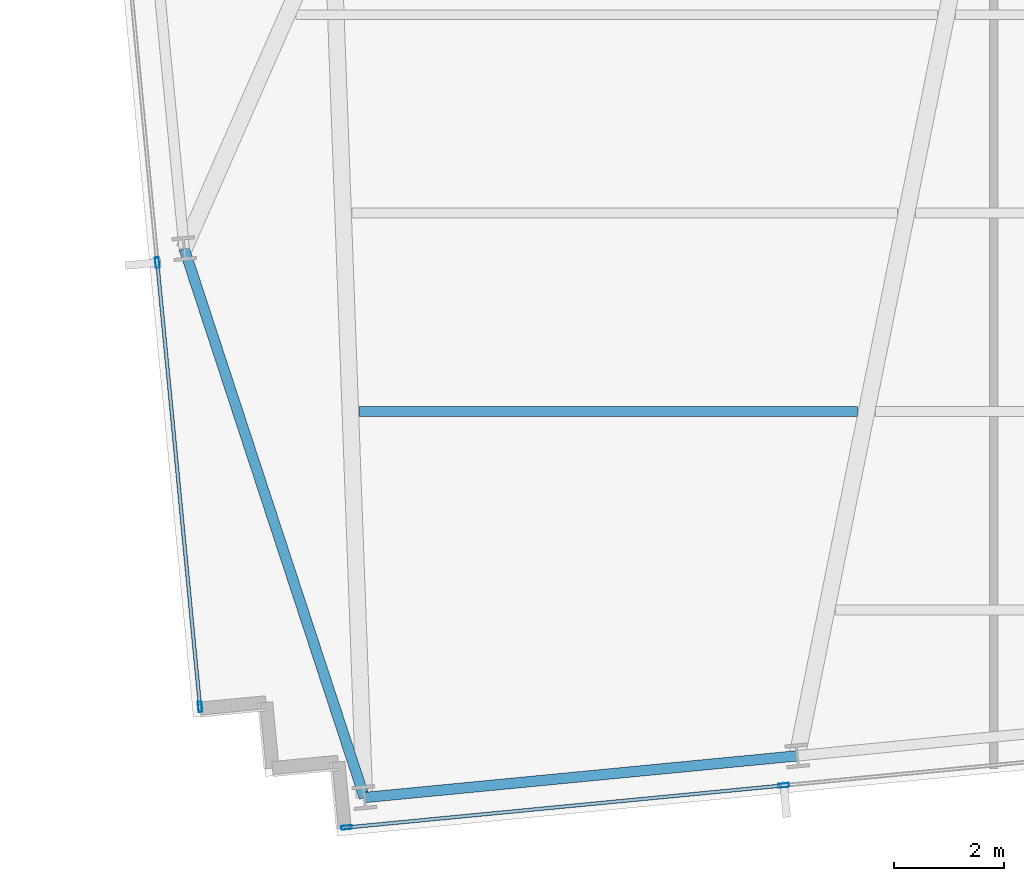
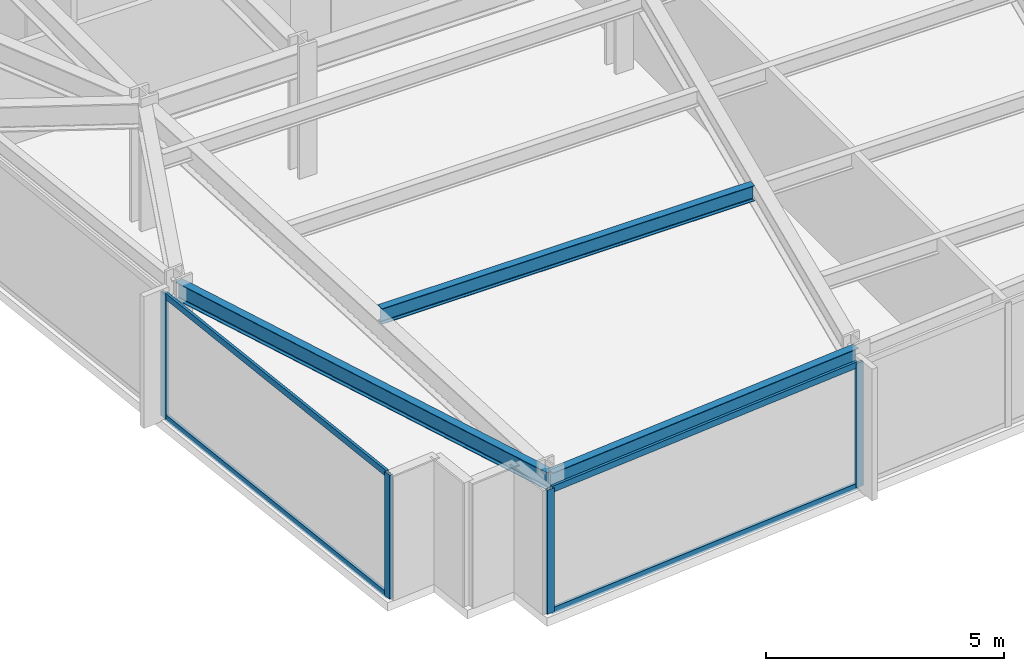
# One storey, part 2 of 32: 8 members, 3 beams, 2 elements without a shape of their own.
"""IFC4 building model written with IfcOpenShell, lengths in metres."""

from ifc_helpers import new_model, si_unit, direction, frame, origin, origin_2d, place, context, subcontext, project, spatial, hollow_rectangle, i_section, extrude, material, material_profile, profile_set, type_object, element, aggregate, save


model = new_model("IFC4")

# Units and contexts
model_context = context("Model", 3, precision=1e-05, world=origin(), true_north=direction((0.0, 1.0)))
body_context = subcontext(model_context, "Body", "Model", "MODEL_VIEW")
ifc_project = project(units=[si_unit("LENGTHUNIT", "METRE"), si_unit("AREAUNIT", "SQUARE_METRE"), si_unit("VOLUMEUNIT", "CUBIC_METRE"), si_unit("PLANEANGLEUNIT", "RADIAN"), si_unit("MASSUNIT", "GRAM", prefix="KILO")], contexts=[model_context])

# Site, building, storey
site_placement = place(None, origin())
site = spatial("IfcSite", under=ifc_project, at=site_placement, CompositionType="ELEMENT")
building_placement = place(site_placement, origin())
building = spatial("IfcBuilding", under=site, at=building_placement, Name="Yelkora Congress Tower", CompositionType="ELEMENT")
storey_placement = place(building_placement, frame((0.0, 0.0, 120.300048828125)))
storey = spatial("IfcBuildingStorey", under=building, at=storey_placement, Name="L32", CompositionType="ELEMENT", Elevation=120.300048828125)

# Beams
ifc_material_1 = material(Name="Steel S355J2", Category="steel")
ifc_material_profile_1 = material_profile(ifc_material_1, i_section(OverallWidth=0.179931640625, OverallDepth=0.39990234375, WebThickness=0.008544921875, FlangeThickness=0.013427734375, FilletRadius=0.02099609375, at=origin_2d()), Name="IPE 400")
ifc_profile_set_1 = profile_set([ifc_material_profile_1], Name="Steel S355J2")
beam_type_1 = type_object("IfcBeamType", Name="BM-JOIST-IPE400", PredefinedType="JOIST", material=ifc_profile_set_1)
beam_1_placement = place(storey_placement, frame((19.6904296875, 16.144287109375, 2.97998046875), z_axis=(1.0, 0.0, 0.0), x_axis=(0.0, 1.0, 0.0)))
element("IfcBeam", 1, at=beam_1_placement, inside=storey, type_object=beam_type_1, Name="L32 Composite Floor Joist 4", PredefinedType="JOIST", context=body_context, shape_type="SweptSolid", body=[
    extrude(i_section(OverallWidth=0.179931640625, OverallDepth=0.39990234375, WebThickness=0.008544921875, FlangeThickness=0.013427734375, FilletRadius=0.02099609375, at=origin_2d()), origin(), (0.0, 0.0, 1.0), 9.0439453125),
])
ifc_material_profile_2 = material_profile(ifc_material_1, i_section(OverallWidth=0.18994140625, OverallDepth=0.449951171875, WebThickness=0.009521484375, FlangeThickness=0.0146484375, FilletRadius=0.02099609375, at=origin_2d()), Name="IPE 450")
ifc_profile_set_2 = profile_set([ifc_material_profile_2], Name="Steel S355J2")
beam_type_2 = type_object("IfcBeamType", Name="BM-SPAN-IPE450", PredefinedType="SPANDREL", material=ifc_profile_set_2)
beam_2_placement = place(storey_placement, frame((16.5166015625, 19.101806640625, 2.954833984375), z_axis=(0.311940628701, -0.95010159676, 0.0), x_axis=(0.95010159676, 0.311940628701, 0.0)))
element("IfcBeam", 2, at=beam_2_placement, inside=storey, type_object=beam_type_2, Name="L32 Perimeter Beam 2", PredefinedType="SPANDREL", context=body_context, shape_type="SweptSolid", body=[
    extrude(i_section(OverallWidth=0.18994140625, OverallDepth=0.449951171875, WebThickness=0.009521484375, FlangeThickness=0.0146484375, FilletRadius=0.02099609375, at=origin_2d()), origin(), (0.0, 0.0, 1.0), 10.48046875),
])
beam_3_placement = place(storey_placement, frame((19.785888671875, 9.144287109375, 2.954833984375), z_axis=(0.995395860104, 0.095849265454, 0.0), x_axis=(-0.095849265454, 0.995395860104, 0.0)))
element("IfcBeam", 3, at=beam_3_placement, inside=storey, type_object=beam_type_2, Name="L32 Perimeter Beam 3", PredefinedType="SPANDREL", context=body_context, shape_type="SweptSolid", body=[
    extrude(i_section(OverallWidth=0.18994140625, OverallDepth=0.449951171875, WebThickness=0.009521484375, FlangeThickness=0.0146484375, FilletRadius=0.02099609375, at=origin_2d()), origin(), (0.0, 0.0, 1.0), 7.885986328125),
])

# Curtain wall, members
ifc_material_2 = material(Name="Anodised aluminium and insulated glass", Category="aluminium")
curtain_wall_type = type_object("IfcCurtainWallType", Name="CW-SYS-B2", PredefinedType="NOTDEFINED", material=ifc_material_2)
curtain_wall_1_placement = place(storey_placement, origin())
curtain_wall_1 = element("IfcCurtainWall", 4, at=curtain_wall_1_placement, inside=storey, type_object=curtain_wall_type, Name="L32 Unitised Curtain Wall 5", PredefinedType="NOTDEFINED")
ifc_material_3 = material(Name="Anodised aluminium 6063-T6", Category="aluminium")
ifc_material_profile_3 = material_profile(ifc_material_3, hollow_rectangle(XDim=0.070068359375, YDim=0.18994140625, WallThickness=0.00390625, at=origin_2d()), Name="ALU 70x190x4")
ifc_profile_set_3 = profile_set([ifc_material_profile_3], Name="Anodised aluminium 6063-T6")
member_type_1 = type_object("IfcMemberType", Name="MEM-ML-B2", PredefinedType="MULLION", material=ifc_profile_set_3)
member_1_placement = place(storey_placement, frame((16.804443359375, 10.791259765625, 0.0), z_axis=(0.0, 0.0, 1.0), x_axis=(-0.995396507508, -0.095842541913, 0.0)))
member_1 = element("IfcMember", 5, at=member_1_placement, type_object=member_type_1, Name="CW-B2 mullion 1", PredefinedType="MULLION", context=body_context, shape_type="SweptSolid", body=[
    extrude(hollow_rectangle(XDim=0.070068359375, YDim=0.18994140625, WallThickness=0.00390625, at=origin_2d()), origin(), (0.0, 0.0, 1.0), 3.179931640625),
])
member_2_placement = place(storey_placement, frame((16.028564453125, 18.848876953125, 0.0), z_axis=(0.0, 0.0, 1.0), x_axis=(-0.995396507508, -0.095842541913, 0.0)))
member_2 = element("IfcMember", 6, at=member_2_placement, type_object=member_type_1, Name="CW-B2 mullion 2", PredefinedType="MULLION", context=body_context, shape_type="SweptSolid", body=[
    extrude(hollow_rectangle(XDim=0.070068359375, YDim=0.18994140625, WallThickness=0.00390625, at=origin_2d()), origin(), (0.0, 0.0, 1.0), 3.179931640625),
])

curtain_wall_2_placement = place(storey_placement, origin())
curtain_wall_2 = element("IfcCurtainWall", 7, at=curtain_wall_2_placement, inside=storey, type_object=curtain_wall_type, Name="L32 Unitised Curtain Wall 20", PredefinedType="NOTDEFINED")
member_3_placement = place(storey_placement, frame((27.392822265625, 9.364501953125, 0.0), z_axis=(0.0, 0.0, 1.0), x_axis=(0.095844345816, -0.995396333816, 0.0)))
member_3 = element("IfcMember", 8, at=member_3_placement, type_object=member_type_1, Name="CW-B2 mullion 7", PredefinedType="MULLION", context=body_context, shape_type="SweptSolid", body=[
    extrude(hollow_rectangle(XDim=0.070068359375, YDim=0.18994140625, WallThickness=0.00390625, at=origin_2d()), origin(), (0.0, 0.0, 1.0), 3.179931640625),
])
member_4_placement = place(storey_placement, frame((19.46142578125, 8.600830078125, 0.0), z_axis=(0.0, 0.0, 1.0), x_axis=(0.095844345816, -0.995396333816, 0.0)))
member_4 = element("IfcMember", 9, at=member_4_placement, type_object=member_type_1, Name="CW-B2 mullion 8", PredefinedType="MULLION", context=body_context, shape_type="SweptSolid", body=[
    extrude(hollow_rectangle(XDim=0.070068359375, YDim=0.18994140625, WallThickness=0.00390625, at=origin_2d()), origin(), (0.0, 0.0, 1.0), 3.179931640625),
])

# Member
ifc_material_profile_4 = material_profile(ifc_material_3, hollow_rectangle(XDim=0.06494140625, YDim=0.159912109375, WallThickness=0.00390625, at=origin_2d()), Name="ALU 65x160x4")
ifc_profile_set_4 = profile_set([ifc_material_profile_4], Name="Anodised aluminium 6063-T6")
member_type_2 = type_object("IfcMemberType", Name="MEM-TR-B2", PredefinedType="USERDEFINED", material=ifc_profile_set_4)
member_5_placement = place(storey_placement, frame((16.801025390625, 10.826171875, 0.032470703125), z_axis=(-0.095861385662, 0.995394692943, 0.0), x_axis=(-0.995394692943, -0.095861385662, 0.0)))
member_5 = element("IfcMember", 10, at=member_5_placement, type_object=member_type_2, Name="CW-B2 transom 1.1", ObjectType="TRANSOM", PredefinedType="USERDEFINED", context=body_context, shape_type="SweptSolid", body=[
    extrude(hollow_rectangle(XDim=0.06494140625, YDim=0.159912109375, WallThickness=0.00390625, at=origin_2d()), origin(), (0.0, 0.0, 1.0), 8.02490234375),
])

member_6_placement = place(storey_placement, frame((16.801025390625, 10.826171875, 3.1474609375), z_axis=(-0.095861385662, 0.995394692943, 0.0), x_axis=(-0.995394692943, -0.095861385662, 0.0)))
member_6 = element("IfcMember", 11, at=member_6_placement, type_object=member_type_2, Name="CW-B2 transom 1.2", ObjectType="TRANSOM", PredefinedType="USERDEFINED", context=body_context, shape_type="SweptSolid", body=[
    extrude(hollow_rectangle(XDim=0.06494140625, YDim=0.159912109375, WallThickness=0.00390625, at=origin_2d()), origin(), (0.0, 0.0, 1.0), 8.02490234375),
])

aggregate(curtain_wall_1, [member_1, member_2, member_5, member_6])

member_7_placement = place(storey_placement, frame((27.35791015625, 9.361083984375, 0.032470703125), z_axis=(-0.995397978421, -0.095827264157, 0.0), x_axis=(0.095827264157, -0.995397978421, 0.0)))
member_7 = element("IfcMember", 12, at=member_7_placement, type_object=member_type_2, Name="CW-B2 transom 7.1", ObjectType="TRANSOM", PredefinedType="USERDEFINED", context=body_context, shape_type="SweptSolid", body=[
    extrude(hollow_rectangle(XDim=0.06494140625, YDim=0.159912109375, WallThickness=0.00390625, at=origin_2d()), origin(), (0.0, 0.0, 1.0), 7.89794921875),
])

member_8_placement = place(storey_placement, frame((27.35791015625, 9.361083984375, 3.1474609375), z_axis=(-0.995397978421, -0.095827264157, 0.0), x_axis=(0.095827264157, -0.995397978421, 0.0)))
member_8 = element("IfcMember", 13, at=member_8_placement, type_object=member_type_2, Name="CW-B2 transom 7.2", ObjectType="TRANSOM", PredefinedType="USERDEFINED", context=body_context, shape_type="SweptSolid", body=[
    extrude(hollow_rectangle(XDim=0.06494140625, YDim=0.159912109375, WallThickness=0.00390625, at=origin_2d()), origin(), (0.0, 0.0, 1.0), 7.89794921875),
])

aggregate(curtain_wall_2, [member_3, member_4, member_7, member_8])

save(model, "model.ifc")
